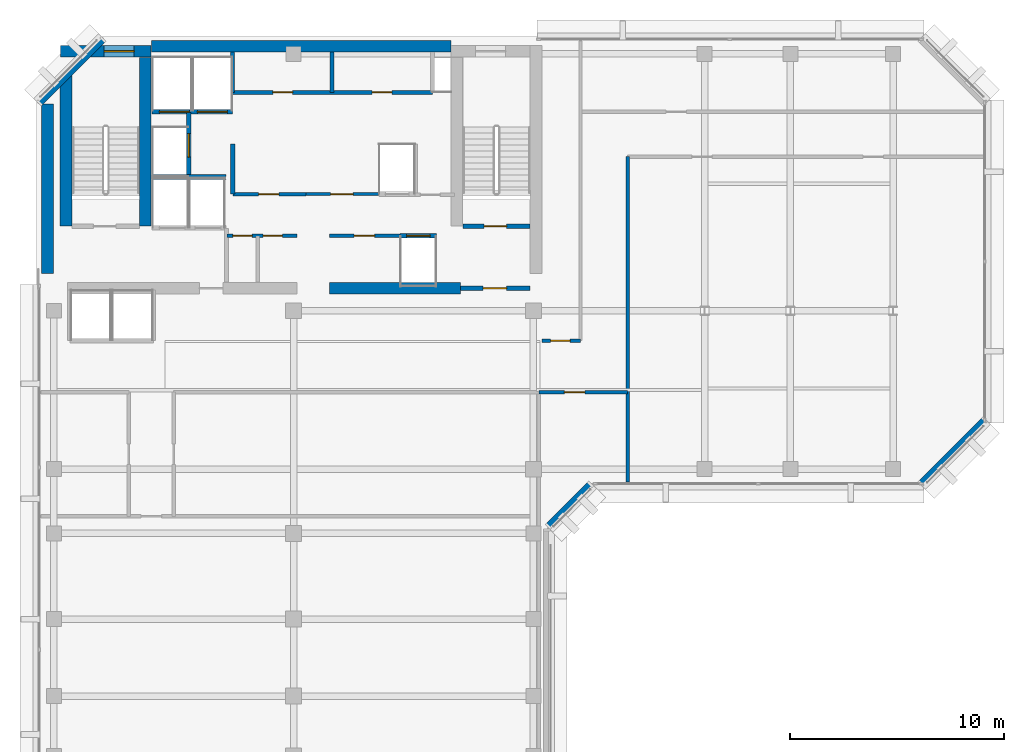
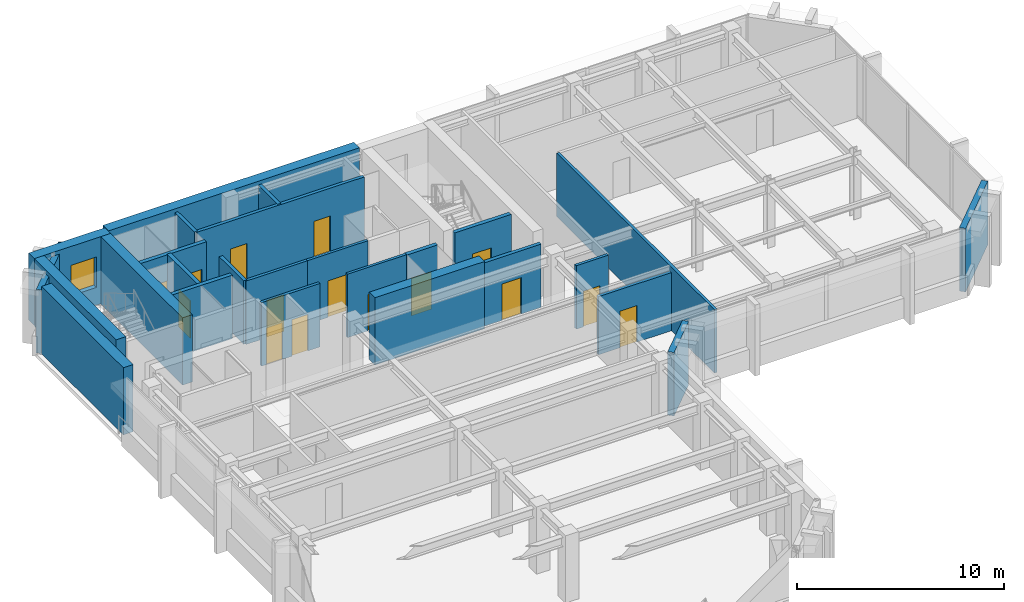
# One storey, part 7 of 12: 26 walls, 15 doors, 1 window, 16 openings.
"""IFC4 building model written with IfcOpenShell, lengths in metres."""

from ifc_helpers import new_model, si_unit, direction, frame, frame_2d, origin, place, context, subcontext, project, spatial, rectangle, extrude, material, layer, layer_set, type_object, element, fill, save


model = new_model("IFC4")

# Units and contexts
model_context = context("Model", 3, precision=1e-05, world=origin(), true_north=direction((0.0, 1.0)))
body_context = subcontext(model_context, "Body", "Model", "MODEL_VIEW")
ifc_project = project(units=[si_unit("LENGTHUNIT", "METRE"), si_unit("AREAUNIT", "SQUARE_METRE"), si_unit("VOLUMEUNIT", "CUBIC_METRE"), si_unit("PLANEANGLEUNIT", "RADIAN"), si_unit("MASSUNIT", "GRAM", prefix="KILO")], contexts=[model_context])

# Site, building, storey
site_placement = place(None, origin())
site = spatial("IfcSite", under=ifc_project, at=site_placement, CompositionType="ELEMENT")
building_placement = place(site_placement, origin())
building = spatial("IfcBuilding", under=site, at=building_placement, Name="Kefirva Bronze Tower", CompositionType="ELEMENT")
storey_placement = place(building_placement, frame((0.0, 0.0, 339.570068359375)))
storey = spatial("IfcBuildingStorey", under=building, at=storey_placement, Name="L83", CompositionType="ELEMENT", Elevation=339.570068359375)

# Wall, opening, door
ifc_material_1 = material(Name="Gypsum acoustic partition")
ifc_layer_1 = layer(ifc_material_1, 0.14990234375, Name="Gypsum acoustic partition")
ifc_layer_set_1 = layer_set([ifc_layer_1], Name="Gypsum acoustic partition")
wall_type_1 = type_object("IfcWallType", Name="Executive Suite Partition 150mm", PredefinedType="PARTITIONING", material=ifc_layer_set_1)
wall_1_placement = place(storey_placement, frame((13.679931640625, 36.699951171875, 0.0), z_axis=(0.0, 0.0, 1.0), x_axis=(1.0, 0.0, 0.0)))
wall_1 = element("IfcWall", 1, at=wall_1_placement, inside=storey, type_object=wall_type_1, Name="L83 Partition W-L83-RECMP1", PredefinedType="PARTITIONING", context=body_context, shape_type="SweptSolid", body=[
    extrude(rectangle(XDim=3.280029296875, YDim=0.14990234375, at=frame_2d((1.64013671875, 0.0))), origin(), (0.0, 0.0, 1.0), 3.739990234375),
])
opening_1_placement = place(wall_1_placement, frame((1.14990234375, 0.0, 0.0)))
opening_1 = element("IfcOpeningElement", 2, at=opening_1_placement, cuts=wall_1, Name="Opening L83-D-RECMP1", PredefinedType="OPENING", context=body_context, shape_type="SweptSolid", body=[
    extrude(rectangle(XDim=0.949951171875, YDim=2.14990234375, at=frame_2d((0.47509765625, 1.074951171875))), frame((0.0, 0.0849609375, 0.0), z_axis=(0.0, -1.0, 0.0), x_axis=(1.0, 0.0, 0.0)), (0.0, 0.0, 1.0), 0.169921875),
])
ifc_material_2 = material(Name="Acoustic hardwood oak", Category="wood")
door_type_1 = type_object("IfcDoorType", Name="Office & Meeting Room Door 950x2150", OperationType="NOTDEFINED", PredefinedType="DOOR", material=ifc_material_2)
door_1_placement = place(opening_1_placement, origin())
door_1 = element("IfcDoor", 3, at=door_1_placement, inside=storey, type_object=door_type_1, Name="Door L83-D-RECMP1", OperationType="SINGLE_SWING_LEFT", OverallHeight=2.14990234375, OverallWidth=0.949951171875, PredefinedType="DOOR", context=body_context, shape_type="SweptSolid", body=[
    extrude(rectangle(XDim=0.949951171875, YDim=2.14990234375, at=frame_2d((0.47509765625, 1.074951171875))), frame((0.0, 0.02490234375, 0.0), z_axis=(0.0, -1.0, 0.0), x_axis=(1.0, 0.0, 0.0)), (0.0, 0.0, 1.0), 0.050048828125),
])
fill(opening_1, door_1)

wall_2_placement = place(storey_placement, frame((12.580078125, 38.64990234375, 0.0), z_axis=(0.0, 0.0, 1.0), x_axis=(1.0, 0.0, 0.0)))
wall_2 = element("IfcWall", 4, at=wall_2_placement, inside=storey, type_object=wall_type_1, Name="L83 Partition W-L83-RECMP2", PredefinedType="PARTITIONING", context=body_context, shape_type="SweptSolid", body=[
    extrude(rectangle(XDim=3.3798828125, YDim=0.14990234375, at=frame_2d((1.68994140625, 0.0))), origin(), (0.0, 0.0, 1.0), 3.739990234375),
])
opening_2_placement = place(wall_2_placement, frame((2.199951171875, 0.0, 0.0), z_axis=(0.0, 0.0, 1.0), x_axis=(-1.0, 0.0, 0.0)))
opening_2 = element("IfcOpeningElement", 5, at=opening_2_placement, cuts=wall_2, Name="Opening L83-D-RECMP2", PredefinedType="OPENING", context=body_context, shape_type="SweptSolid", body=[
    extrude(rectangle(XDim=1.050048828125, YDim=2.14990234375, at=frame_2d((0.52490234375, 1.074951171875))), frame((0.0, 0.0849609375, 0.0), z_axis=(0.0, -1.0, 0.0), x_axis=(1.0, 0.0, 0.0)), (0.0, 0.0, 1.0), 0.169921875),
])
door_type_2 = type_object("IfcDoorType", Name="Executive & Boardroom Door 1050x2150", OperationType="NOTDEFINED", PredefinedType="DOOR", material=ifc_material_2)
door_2_placement = place(opening_2_placement, origin())
door_2 = element("IfcDoor", 6, at=door_2_placement, inside=storey, type_object=door_type_2, Name="Door L83-D-RECMP2", OperationType="SINGLE_SWING_RIGHT", OverallHeight=2.14990234375, OverallWidth=1.050048828125, PredefinedType="DOOR", context=body_context, shape_type="SweptSolid", body=[
    extrude(rectangle(XDim=1.050048828125, YDim=2.14990234375, at=frame_2d((0.52490234375, 1.074951171875))), frame((0.0, 0.02490234375, 0.0), z_axis=(0.0, -1.0, 0.0), x_axis=(1.0, 0.0, 0.0)), (0.0, 0.0, 1.0), 0.050048828125),
])
fill(opening_2, door_2)

ifc_material_3 = material(Name="Gypsum fireboard shaftwall")
ifc_layer_2 = layer(ifc_material_3, 0.219970703125, Name="Gypsum fireboard shaftwall")
ifc_layer_set_2 = layer_set([ifc_layer_2], Name="Gypsum fireboard shaftwall")
wall_type_2 = type_object("IfcWallType", Name="Fire-Rated Shaft Enclosure Wall 220mm", PredefinedType="PARTITIONING", material=ifc_layer_set_2)
wall_3_placement = place(storey_placement, frame((19.89990234375, 37.14990234375, 0.0), z_axis=(0.0, 0.0, 1.0), x_axis=(1.0, 0.0, 0.0)))
wall_3 = element("IfcWall", 7, at=wall_3_placement, inside=storey, type_object=wall_type_2, Name="L83 Partition W-L83-ST2S", PredefinedType="PARTITIONING", context=body_context, shape_type="SweptSolid", body=[
    extrude(rectangle(XDim=3.150146484375, YDim=0.219970703125, at=frame_2d((1.5751953125, 0.0))), origin(), (0.0, 0.0, 1.0), 3.739990234375),
])
opening_3_placement = place(wall_3_placement, frame((2.050048828125, 0.0, 0.0), z_axis=(0.0, 0.0, 1.0), x_axis=(-1.0, 0.0, 0.0)))
opening_3 = element("IfcOpeningElement", 8, at=opening_3_placement, cuts=wall_3, Name="Opening L83-D003", PredefinedType="OPENING", context=body_context, shape_type="SweptSolid", body=[
    extrude(rectangle(XDim=1.050048828125, YDim=2.14990234375, at=frame_2d((0.52490234375, 1.074951171875))), frame((0.0, 0.1201171875, 0.0), z_axis=(0.0, -1.0, 0.0), x_axis=(1.0, 0.0, 0.0)), (0.0, 0.0, 1.0), 0.239990234375),
])
ifc_material_4 = material(Name="Painted galvanized steel", Category="steel")
door_type_3 = type_object("IfcDoorType", Name="Fire Stair Enclosure Door 1050x2150 FD90S", OperationType="NOTDEFINED", PredefinedType="DOOR", material=ifc_material_4)
door_3_placement = place(opening_3_placement, origin())
door_3 = element("IfcDoor", 9, at=door_3_placement, inside=storey, type_object=door_type_3, Name="Door L83-D003", OperationType="SINGLE_SWING_LEFT", OverallHeight=2.14990234375, OverallWidth=1.050048828125, PredefinedType="DOOR", context=body_context, shape_type="SweptSolid", body=[
    extrude(rectangle(XDim=1.050048828125, YDim=2.14990234375, at=frame_2d((0.52490234375, 1.074951171875))), frame((0.0, 0.02490234375, 0.0), z_axis=(0.0, -1.0, 0.0), x_axis=(1.0, 0.0, 0.0)), (0.0, 0.0, 1.0), 0.050048828125),
])
fill(opening_3, door_3)

# Wall
wall_4_placement = place(storey_placement, frame((5.3798828125, 39.449951171875, 0.0), z_axis=(0.0, 0.0, 1.0), x_axis=(1.0, 0.0, 0.0)))
element("IfcWall", 10, at=wall_4_placement, inside=storey, type_object=wall_type_2, Name="L83 Partition W-L83-FFN", PredefinedType="PARTITIONING", context=body_context, shape_type="SweptSolid", body=[
    extrude(rectangle(XDim=3.460205078125, YDim=0.219970703125, at=frame_2d((1.72998046875, 0.0))), origin(), (0.0, 0.0, 1.0), 3.739990234375),
])

# Wall, openings, doors
wall_5_placement = place(storey_placement, frame((5.3798828125, 42.5, 0.0), z_axis=(0.0, 0.0, 1.0), x_axis=(1.0, 0.0, 0.0)))
wall_5 = element("IfcWall", 11, at=wall_5_placement, inside=storey, type_object=wall_type_2, Name="L83 Partition W-L83-SVS", PredefinedType="PARTITIONING", context=body_context, shape_type="SweptSolid", body=[
    extrude(rectangle(XDim=3.77001953125, YDim=0.219970703125, at=frame_2d((1.885009765625, 0.0))), origin(), (0.0, 0.0, 1.0), 3.739990234375),
])
opening_4_placement = place(wall_5_placement, frame((1.75, 0.0, 0.0), z_axis=(0.0, 0.0, 1.0), x_axis=(-1.0, 0.0, 0.0)))
opening_4 = element("IfcOpeningElement", 12, at=opening_4_placement, cuts=wall_5, Name="Opening L83-LD-SV1", PredefinedType="OPENING", context=body_context, shape_type="SweptSolid", body=[
    extrude(rectangle(XDim=1.39990234375, YDim=2.199951171875, at=frame_2d((0.699951171875, 1.10009765625))), frame((0.0, 0.1201171875, 0.0), z_axis=(0.0, -1.0, 0.0), x_axis=(1.0, 0.0, 0.0)), (0.0, 0.0, 1.0), 0.239990234375),
])
opening_5_placement = place(wall_5_placement, frame((3.52978515625, 0.0, 0.0), z_axis=(0.0, 0.0, 1.0), x_axis=(-1.0, 0.0, 0.0)))
opening_5 = element("IfcOpeningElement", 13, at=opening_5_placement, cuts=wall_5, Name="Opening L83-LD-SV2", PredefinedType="OPENING", context=body_context, shape_type="SweptSolid", body=[
    extrude(rectangle(XDim=1.39990234375, YDim=2.199951171875, at=frame_2d((0.699951171875, 1.10009765625))), frame((0.0, 0.1201171875, 0.0), z_axis=(0.0, -1.0, 0.0), x_axis=(1.0, 0.0, 0.0)), (0.0, 0.0, 1.0), 0.239990234375),
])
ifc_material_5 = material(Name="Stainless steel 316", Category="steel")
door_type_4 = type_object("IfcDoorType", Name="Goods Lift Bi-Parting Sliding Door 1400x2200", OperationType="SLIDING_TO_LEFT", PredefinedType="DOOR", material=ifc_material_5)
door_4_placement = place(opening_4_placement, origin())
door_4 = element("IfcDoor", 14, at=door_4_placement, inside=storey, type_object=door_type_4, Name="Door L83-LD-SV1", OperationType="SLIDING_TO_LEFT", OverallHeight=2.199951171875, OverallWidth=1.39990234375, PredefinedType="DOOR", context=body_context, shape_type="SweptSolid", body=[
    extrude(rectangle(XDim=1.39990234375, YDim=2.199951171875, at=frame_2d((0.699951171875, 1.10009765625))), frame((0.0, 0.02490234375, 0.0), z_axis=(0.0, -1.0, 0.0), x_axis=(1.0, 0.0, 0.0)), (0.0, 0.0, 1.0), 0.050048828125),
])
fill(opening_4, door_4)
door_5_placement = place(opening_5_placement, origin())
door_5 = element("IfcDoor", 15, at=door_5_placement, inside=storey, type_object=door_type_4, Name="Door L83-LD-SV2", OperationType="SLIDING_TO_LEFT", OverallHeight=2.199951171875, OverallWidth=1.39990234375, PredefinedType="DOOR", context=body_context, shape_type="SweptSolid", body=[
    extrude(rectangle(XDim=1.39990234375, YDim=2.199951171875, at=frame_2d((0.699951171875, 1.10009765625))), frame((0.0, 0.02490234375, 0.0), z_axis=(0.0, -1.0, 0.0), x_axis=(1.0, 0.0, 0.0)), (0.0, 0.0, 1.0), 0.050048828125),
])
fill(opening_5, door_5)

# Wall, opening, door
wall_6_placement = place(storey_placement, frame((7.10009765625, 39.52001953125, 0.0), z_axis=(0.0, 0.0, 1.0), x_axis=(0.0, 1.0, 0.0)))
wall_6 = element("IfcWall", 16, at=wall_6_placement, inside=storey, type_object=wall_type_2, Name="L83 Partition W-L83-HP3E", PredefinedType="PARTITIONING", context=body_context, shape_type="SweptSolid", body=[
    extrude(rectangle(XDim=2.929931640625, YDim=0.219970703125, at=frame_2d((1.46484375, 0.0))), origin(), (0.0, 0.0, 1.0), 3.739990234375),
])
opening_6_placement = place(wall_6_placement, frame((0.85009765625, 0.0, 0.0)))
opening_6 = element("IfcOpeningElement", 17, at=opening_6_placement, cuts=wall_6, Name="Opening L83-LD-HP3", PredefinedType="OPENING", context=body_context, shape_type="SweptSolid", body=[
    extrude(rectangle(XDim=1.10009765625, YDim=2.199951171875, at=frame_2d((0.550048828125, 1.10009765625))), frame((0.0, 0.1201171875, 0.0), z_axis=(0.0, -1.0, 0.0), x_axis=(1.0, 0.0, 0.0)), (0.0, 0.0, 1.0), 0.239990234375),
])
door_type_5 = type_object("IfcDoorType", Name="Passenger Lift Sliding Landing Door 1100x2200", OperationType="SLIDING_TO_LEFT", PredefinedType="DOOR", material=ifc_material_5)
door_6_placement = place(opening_6_placement, origin())
door_6 = element("IfcDoor", 18, at=door_6_placement, inside=storey, type_object=door_type_5, Name="Door L83-LD-HP3", OperationType="SLIDING_TO_LEFT", OverallHeight=2.199951171875, OverallWidth=1.10009765625, PredefinedType="DOOR", context=body_context, shape_type="SweptSolid", body=[
    extrude(rectangle(XDim=1.10009765625, YDim=2.199951171875, at=frame_2d((0.550048828125, 1.10009765625))), frame((0.0, 0.02490234375, 0.0), z_axis=(0.0, -1.0, 0.0), x_axis=(1.0, 0.0, 0.0)), (0.0, 0.0, 1.0), 0.050048828125),
])
fill(opening_6, door_6)

# Wall
wall_7_placement = place(storey_placement, frame((9.159912109375, 38.64990234375, 0.0), z_axis=(0.0, 0.0, 1.0), x_axis=(0.0, 1.0, 0.0)))
element("IfcWall", 19, at=wall_7_placement, inside=storey, type_object=wall_type_2, Name="L83 Partition W-L83-LP3W", PredefinedType="PARTITIONING", context=body_context, shape_type="SweptSolid", body=[
    extrude(rectangle(XDim=2.35009765625, YDim=0.199951171875, at=frame_2d((1.175048828125, 0.0))), origin(), (0.0, 0.0, 1.0), 3.739990234375),
])

# Wall, opening, door
wall_8_placement = place(storey_placement, frame((16.97998046875, 36.699951171875, 0.0), z_axis=(0.0, 0.0, 1.0), x_axis=(1.0, 0.0, 0.0)))
wall_8 = element("IfcWall", 20, at=wall_8_placement, inside=storey, type_object=wall_type_2, Name="L83 Partition W-L83-HPS", PredefinedType="PARTITIONING", context=body_context, shape_type="SweptSolid", body=[
    extrude(rectangle(XDim=1.699951171875, YDim=0.219970703125, at=frame_2d((0.85009765625, 0.0))), origin(), (0.0, 0.0, 1.0), 3.739990234375),
])
opening_7_placement = place(wall_8_placement, frame((0.300048828125, 0.0, 0.0)))
opening_7 = element("IfcOpeningElement", 21, at=opening_7_placement, cuts=wall_8, Name="Opening L83-LD-HP1", PredefinedType="OPENING", context=body_context, shape_type="SweptSolid", body=[
    extrude(rectangle(XDim=1.10009765625, YDim=2.199951171875, at=frame_2d((0.550048828125, 1.10009765625))), frame((0.0, 0.1201171875, 0.0), z_axis=(0.0, -1.0, 0.0), x_axis=(1.0, 0.0, 0.0)), (0.0, 0.0, 1.0), 0.239990234375),
])
door_7_placement = place(opening_7_placement, origin())
door_7 = element("IfcDoor", 22, at=door_7_placement, inside=storey, type_object=door_type_5, Name="Door L83-LD-HP1", OperationType="SLIDING_TO_LEFT", OverallHeight=2.199951171875, OverallWidth=1.10009765625, PredefinedType="DOOR", context=body_context, shape_type="SweptSolid", body=[
    extrude(rectangle(XDim=1.10009765625, YDim=2.199951171875, at=frame_2d((0.550048828125, 1.10009765625))), frame((0.0, 0.02490234375, 0.0), z_axis=(0.0, -1.0, 0.0), x_axis=(1.0, 0.0, 0.0)), (0.0, 0.0, 1.0), 0.050048828125),
])
fill(opening_7, door_7)

ifc_material_6 = material(Name="Gypsum fireboard barrier")
ifc_layer_3 = layer(ifc_material_6, 0.199951171875, Name="Gypsum fireboard barrier")
ifc_layer_set_3 = layer_set([ifc_layer_3], Name="Gypsum fireboard barrier")
wall_type_3 = type_object("IfcWallType", Name="Firefighting Lobby Barrier Wall 200mm", PredefinedType="PARTITIONING", material=ifc_layer_set_3)
wall_9_placement = place(storey_placement, frame((19.800048828125, 34.25, 0.0), z_axis=(0.0, 0.0, 1.0), x_axis=(1.0, 0.0, 0.0)))
wall_9 = element("IfcWall", 23, at=wall_9_placement, inside=storey, type_object=wall_type_3, Name="L83 Partition W-L83-ST2F", PredefinedType="PARTITIONING", context=body_context, shape_type="SweptSolid", body=[
    extrude(rectangle(XDim=3.25, YDim=0.199951171875, at=frame_2d((1.625, 0.0))), origin(), (0.0, 0.0, 1.0), 3.739990234375),
])
opening_8_placement = place(wall_9_placement, frame((2.150146484375, 0.0, 0.0), z_axis=(0.0, 0.0, 1.0), x_axis=(-1.0, 0.0, 0.0)))
opening_8 = element("IfcOpeningElement", 24, at=opening_8_placement, cuts=wall_9, Name="Opening L83-D004", PredefinedType="OPENING", context=body_context, shape_type="SweptSolid", body=[
    extrude(rectangle(XDim=1.10009765625, YDim=2.14990234375, at=frame_2d((0.550048828125, 1.074951171875))), frame((0.0, 0.10986328125, 0.0), z_axis=(0.0, -1.0, 0.0), x_axis=(1.0, 0.0, 0.0)), (0.0, 0.0, 1.0), 0.219970703125),
])
door_type_6 = type_object("IfcDoorType", Name="Firefighting Lobby Smoke Door 1100x2150 FD60S", OperationType="NOTDEFINED", PredefinedType="DOOR", material=ifc_material_4)
door_8_placement = place(opening_8_placement, origin())
door_8 = element("IfcDoor", 25, at=door_8_placement, inside=storey, type_object=door_type_6, Name="Door L83-D004", OperationType="SINGLE_SWING_RIGHT", OverallHeight=2.14990234375, OverallWidth=1.10009765625, PredefinedType="DOOR", context=body_context, shape_type="SweptSolid", body=[
    extrude(rectangle(XDim=1.10009765625, YDim=2.14990234375, at=frame_2d((0.550048828125, 1.074951171875))), frame((0.0, 0.02490234375, 0.0), z_axis=(0.0, -1.0, 0.0), x_axis=(1.0, 0.0, 0.0)), (0.0, 0.0, 1.0), 0.050048828125),
])
fill(opening_8, door_8)

# Walls
ifc_material_7 = material(Name="Precast concrete C40/50", Category="concrete")
ifc_layer_4 = layer(ifc_material_7, 0.320068359375, Name="Precast concrete C40/50")
ifc_layer_set_4 = layer_set([ifc_layer_4], Name="Precast concrete C40/50")
wall_type_4 = type_object("IfcWallType", Name="Precast Insulated Exterior Wall 320mm", PredefinedType="SOLIDWALL", material=ifc_layer_set_4)
wall_10_placement = place(storey_placement, frame((23.92578125, 23.152099609375, 0.0), z_axis=(0.0, 0.0, 1.0), x_axis=(0.707106781187, 0.707106781187, 0.0)))
element("IfcWall", 26, at=wall_10_placement, inside=storey, type_object=wall_type_4, Name="L83 Exterior Facade Wall 6", PredefinedType="SOLIDWALL", context=body_context, shape_type="SweptSolid", body=[
    extrude(rectangle(XDim=2.71826171875, YDim=0.320068359375, at=frame_2d((1.359130859375, 0.0))), origin(), (0.0, 0.0, 1.0), 3.739990234375),
])
for number, where, z_axis, x_axis, name in (
    (27, (41.32568359375, 25.152099609375, 0.0), (0.0, 0.0, 1.0), (0.707136318428, 0.707077242712, 0.0), "L83 Exterior Facade Wall 7"),
    (28, (3.07421875, 45.847900390625, 0.0), (0.0, 0.0, 1.0), (-0.707106781187, -0.707106781187, 0.0), "L83 Exterior Facade Wall 9"),
):
    element("IfcWall", number, at=place(storey_placement, frame(where, z_axis=z_axis, x_axis=x_axis)), inside=storey, type_object=wall_type_4, Name=name, PredefinedType="SOLIDWALL", context=body_context, shape_type="SweptSolid", body=[
        extrude(rectangle(XDim=4.132568359375, YDim=0.320068359375, at=frame_2d((2.06640625, 0.0))), origin(), (0.0, 0.0, 1.0), 3.739990234375),
    ])

# Wall, openings, doors
ifc_layer_5 = layer(ifc_material_1, 0.159912109375, Name="Gypsum acoustic partition")
ifc_layer_set_5 = layer_set([ifc_layer_5], Name="Gypsum acoustic partition")
wall_type_5 = type_object("IfcWallType", Name="Protected Corridor Partition 160mm", PredefinedType="PARTITIONING", material=ifc_layer_set_5)
wall_11_placement = place(storey_placement, frame((8.89990234375, 36.699951171875, 0.0), z_axis=(0.0, 0.0, 1.0), x_axis=(1.0, 0.0, 0.0)))
wall_11 = element("IfcWall", 29, at=wall_11_placement, inside=storey, type_object=wall_type_5, Name="L83 Partition W-L83-RECLP1", PredefinedType="PARTITIONING", context=body_context, shape_type="SweptSolid", body=[
    extrude(rectangle(XDim=3.25, YDim=0.159912109375, at=frame_2d((1.625, 0.0))), origin(), (0.0, 0.0, 1.0), 3.739990234375),
])
opening_9_placement = place(wall_11_placement, frame((0.260009765625, 0.0, 0.0)))
opening_9 = element("IfcOpeningElement", 30, at=opening_9_placement, cuts=wall_11, Name="Opening L83-D-RECLP1A", PredefinedType="OPENING", context=body_context, shape_type="SweptSolid", body=[
    extrude(rectangle(XDim=0.89990234375, YDim=2.14990234375, at=frame_2d((0.449951171875, 1.074951171875))), frame((0.0, 0.08984375, 0.0), z_axis=(0.0, -1.0, 0.0), x_axis=(1.0, 0.0, 0.0)), (0.0, 0.0, 1.0), 0.179931640625),
])
opening_10_placement = place(wall_11_placement, frame((1.679931640625, 0.0, 0.0)))
opening_10 = element("IfcOpeningElement", 31, at=opening_10_placement, cuts=wall_11, Name="Opening L83-D-RECLP1B", PredefinedType="OPENING", context=body_context, shape_type="SweptSolid", body=[
    extrude(rectangle(XDim=0.89990234375, YDim=2.14990234375, at=frame_2d((0.449951171875, 1.074951171875))), frame((0.0, 0.08984375, 0.0), z_axis=(0.0, -1.0, 0.0), x_axis=(1.0, 0.0, 0.0)), (0.0, 0.0, 1.0), 0.179931640625),
])
door_type_7 = type_object("IfcDoorType", Name="Core Archive & Server Fire Door 900x2150 FD60S", OperationType="NOTDEFINED", PredefinedType="DOOR", material=ifc_material_4)
door_9_placement = place(opening_9_placement, origin())
door_9 = element("IfcDoor", 32, at=door_9_placement, inside=storey, type_object=door_type_7, Name="Door L83-D-RECLP1A", OperationType="SINGLE_SWING_RIGHT", OverallHeight=2.14990234375, OverallWidth=0.89990234375, PredefinedType="DOOR", context=body_context, shape_type="SweptSolid", body=[
    extrude(rectangle(XDim=0.89990234375, YDim=2.14990234375, at=frame_2d((0.449951171875, 1.074951171875))), frame((0.0, 0.02490234375, 0.0), z_axis=(0.0, -1.0, 0.0), x_axis=(1.0, 0.0, 0.0)), (0.0, 0.0, 1.0), 0.050048828125),
])
fill(opening_9, door_9)
door_10_placement = place(opening_10_placement, origin())
door_10 = element("IfcDoor", 33, at=door_10_placement, inside=storey, type_object=door_type_7, Name="Door L83-D-RECLP1B", OperationType="SINGLE_SWING_LEFT", OverallHeight=2.14990234375, OverallWidth=0.89990234375, PredefinedType="DOOR", context=body_context, shape_type="SweptSolid", body=[
    extrude(rectangle(XDim=0.89990234375, YDim=2.14990234375, at=frame_2d((0.449951171875, 1.074951171875))), frame((0.0, 0.02490234375, 0.0), z_axis=(0.0, -1.0, 0.0), x_axis=(1.0, 0.0, 0.0)), (0.0, 0.0, 1.0), 0.050048828125),
])
fill(opening_10, door_10)

# Wall, opening, door
wall_12_placement = place(storey_placement, frame((9.159912109375, 38.64990234375, 0.0), z_axis=(0.0, 0.0, 1.0), x_axis=(1.0, 0.0, 0.0)))
wall_12 = element("IfcWall", 34, at=wall_12_placement, inside=storey, type_object=wall_type_5, Name="L83 Partition W-L83-RECLP2", PredefinedType="PARTITIONING", context=body_context, shape_type="SweptSolid", body=[
    extrude(rectangle(XDim=3.420166015625, YDim=0.159912109375, at=frame_2d((1.7099609375, 0.0))), origin(), (0.0, 0.0, 1.0), 3.739990234375),
])
opening_11_placement = place(wall_12_placement, frame((2.14990234375, 0.0, 0.0), z_axis=(0.0, 0.0, 1.0), x_axis=(-1.0, 0.0, 0.0)))
opening_11 = element("IfcOpeningElement", 35, at=opening_11_placement, cuts=wall_12, Name="Opening L83-D-RECLP2", PredefinedType="OPENING", context=body_context, shape_type="SweptSolid", body=[
    extrude(rectangle(XDim=0.949951171875, YDim=2.14990234375, at=frame_2d((0.47509765625, 1.074951171875))), frame((0.0, 0.08984375, 0.0), z_axis=(0.0, -1.0, 0.0), x_axis=(1.0, 0.0, 0.0)), (0.0, 0.0, 1.0), 0.179931640625),
])
door_11_placement = place(opening_11_placement, origin())
door_11 = element("IfcDoor", 36, at=door_11_placement, inside=storey, type_object=door_type_1, Name="Door L83-D-RECLP2", OperationType="SINGLE_SWING_RIGHT", OverallHeight=2.14990234375, OverallWidth=0.949951171875, PredefinedType="DOOR", context=body_context, shape_type="SweptSolid", body=[
    extrude(rectangle(XDim=0.949951171875, YDim=2.14990234375, at=frame_2d((0.47509765625, 1.074951171875))), frame((0.0, 0.02490234375, 0.0), z_axis=(0.0, -1.0, 0.0), x_axis=(1.0, 0.0, 0.0)), (0.0, 0.0, 1.0), 0.050048828125),
])
fill(opening_11, door_11)

# Wall
wall_13_placement = place(storey_placement, frame((27.60009765625, 25.18994140625, 0.0), z_axis=(0.0, 0.0, 1.0), x_axis=(0.0, 1.0, 0.0)))
element("IfcWall", 37, at=wall_13_placement, inside=storey, type_object=wall_type_5, Name="L83 Partition W-L83-E31E", PredefinedType="PARTITIONING", context=body_context, shape_type="SweptSolid", body=[
    extrude(rectangle(XDim=15.2099609375, YDim=0.159912109375, at=frame_2d((7.60498046875, 0.0))), origin(), (0.0, 0.0, 1.0), 3.739990234375),
])

# Wall, opening, door
wall_14_placement = place(storey_placement, frame((23.449951171875, 29.39990234375, 0.0), z_axis=(0.0, 0.0, 1.0), x_axis=(1.0, 0.0, 0.0)))
wall_14 = element("IfcWall", 38, at=wall_14_placement, inside=storey, type_object=wall_type_5, Name="L83 Partition W-L83-E31S0", PredefinedType="PARTITIONING", context=body_context, shape_type="SweptSolid", body=[
    extrude(rectangle(XDim=4.150146484375, YDim=0.159912109375, at=frame_2d((2.0751953125, 0.0))), origin(), (0.0, 0.0, 1.0), 3.425048828125),
])
opening_12_placement = place(wall_14_placement, frame((2.14990234375, 0.0, 0.0), z_axis=(0.0, 0.0, 1.0), x_axis=(-1.0, 0.0, 0.0)))
opening_12 = element("IfcOpeningElement", 39, at=opening_12_placement, cuts=wall_14, Name="Opening L83-D-E31SW", PredefinedType="OPENING", context=body_context, shape_type="SweptSolid", body=[
    extrude(rectangle(XDim=0.949951171875, YDim=2.14990234375, at=frame_2d((0.47509765625, 1.074951171875))), frame((0.0, 0.08984375, 0.0), z_axis=(0.0, -1.0, 0.0), x_axis=(1.0, 0.0, 0.0)), (0.0, 0.0, 1.0), 0.179931640625),
])
door_12_placement = place(opening_12_placement, origin())
door_12 = element("IfcDoor", 40, at=door_12_placement, inside=storey, type_object=door_type_1, Name="Door L83-D-E31SW", OperationType="SINGLE_SWING_LEFT", OverallHeight=2.14990234375, OverallWidth=0.949951171875, PredefinedType="DOOR", context=body_context, shape_type="SweptSolid", body=[
    extrude(rectangle(XDim=0.949951171875, YDim=2.14990234375, at=frame_2d((0.47509765625, 1.074951171875))), frame((0.0, 0.02490234375, 0.0), z_axis=(0.0, -1.0, 0.0), x_axis=(1.0, 0.0, 0.0)), (0.0, 0.0, 1.0), 0.050048828125),
])
fill(opening_12, door_12)

wall_15_placement = place(storey_placement, frame((23.60009765625, 31.800048828125, 0.0), z_axis=(0.0, 0.0, 1.0), x_axis=(1.0, 0.0, 0.0)))
wall_15 = element("IfcWall", 41, at=wall_15_placement, inside=storey, type_object=wall_type_5, Name="L83 Partition W-L83-E31PK", PredefinedType="PARTITIONING", context=body_context, shape_type="SweptSolid", body=[
    extrude(rectangle(XDim=1.7998046875, YDim=0.159912109375, at=frame_2d((0.89990234375, 0.0))), origin(), (0.0, 0.0, 1.0), 3.739990234375),
])
opening_13_placement = place(wall_15_placement, frame((0.39990234375, 0.0, 0.0)))
opening_13 = element("IfcOpeningElement", 42, at=opening_13_placement, cuts=wall_15, Name="Opening L83-D-E31PK", PredefinedType="OPENING", context=body_context, shape_type="SweptSolid", body=[
    extrude(rectangle(XDim=0.919921875, YDim=2.10009765625, at=frame_2d((0.4599609375, 1.050048828125))), frame((0.0, 0.08984375, 0.0), z_axis=(0.0, -1.0, 0.0), x_axis=(1.0, 0.0, 0.0)), (0.0, 0.0, 1.0), 0.179931640625),
])
ifc_material_8 = material(Name="Moisture-resistant timber", Category="wood")
door_type_8 = type_object("IfcDoorType", Name="Accessible Sanitary & WC Door 920x2100", OperationType="NOTDEFINED", PredefinedType="DOOR", material=ifc_material_8)
door_13_placement = place(opening_13_placement, origin())
door_13 = element("IfcDoor", 43, at=door_13_placement, inside=storey, type_object=door_type_8, Name="Door L83-D-E31PK", OperationType="SINGLE_SWING_RIGHT", OverallHeight=2.10009765625, OverallWidth=0.919921875, PredefinedType="DOOR", context=body_context, shape_type="SweptSolid", body=[
    extrude(rectangle(XDim=0.919921875, YDim=2.10009765625, at=frame_2d((0.4599609375, 1.050048828125))), frame((0.0, 0.02490234375, 0.0), z_axis=(0.0, -1.0, 0.0), x_axis=(1.0, 0.0, 0.0)), (0.0, 0.0, 1.0), 0.050048828125),
])
fill(opening_13, door_13)

# Walls
ifc_material_9 = material(Name="Concrete C50/60", Category="concrete")
ifc_layer_6 = layer(ifc_material_9, 0.550048828125, Name="Concrete C50/60")
ifc_layer_set_6 = layer_set([ifc_layer_6], Name="Concrete C50/60")
wall_type_6 = type_object("IfcWallType", Name="RC Rear Core Exterior Wall 550mm", PredefinedType="SHEAR", material=ifc_layer_set_6)
wall_16_placement = place(storey_placement, frame((5.360107421875, 45.550048828125, 0.0), z_axis=(0.0, 0.0, 1.0), x_axis=(1.0, 0.0, 0.0)))
element("IfcWall", 44, at=wall_16_placement, inside=storey, type_object=wall_type_6, Name="L83 Rear Core North Shear Wall", PredefinedType="SHEAR", context=body_context, shape_type="SweptSolid", body=[
    extrude(rectangle(XDim=13.97998046875, YDim=0.550048828125, at=frame_2d((6.989990234375, 0.0))), origin(), (0.0, 0.0, 1.0), 3.9599609375),
])
wall_17_placement = place(storey_placement, frame((0.5, 34.949951171875, 0.0), z_axis=(0.0, 0.0, 1.0), x_axis=(0.0, 1.0, 0.0)))
element("IfcWall", 45, at=wall_17_placement, inside=storey, type_object=wall_type_6, Name="L83 Rear Core West Shear Wall", PredefinedType="SHEAR", context=body_context, shape_type="SweptSolid", body=[
    extrude(rectangle(XDim=7.900146484375, YDim=0.550048828125, at=frame_2d((3.9501953125, 0.0))), origin(), (0.0, 0.0, 1.0), 3.9599609375),
])

# Wall, opening, window
wall_18_placement = place(storey_placement, frame((1.10009765625, 45.320068359375, 0.0), z_axis=(0.0, 0.0, 1.0), x_axis=(1.0, 0.0, 0.0)))
wall_18 = element("IfcWall", 46, at=wall_18_placement, inside=storey, type_object=wall_type_6, Name="L83 Stair 1 North Shear Wall", PredefinedType="SHEAR", context=body_context, shape_type="SweptSolid", body=[
    extrude(rectangle(XDim=4.239990234375, YDim=0.550048828125, at=frame_2d((2.1201171875, 0.0))), origin(), (0.0, 0.0, 1.0), 3.9599609375),
])
opening_14_placement = place(wall_18_placement, frame((2.050048828125, 0.0, 1.050048828125)))
opening_14 = element("IfcOpeningElement", 47, at=opening_14_placement, cuts=wall_18, Name="Opening WN-03", PredefinedType="OPENING", context=body_context, shape_type="SweptSolid", body=[
    extrude(rectangle(XDim=1.39990234375, YDim=1.800048828125, at=frame_2d((0.699951171875, 0.89990234375))), frame((0.0, 0.28515625, 0.0), z_axis=(0.0, -1.0, 0.0), x_axis=(1.0, 0.0, 0.0)), (0.0, 0.0, 1.0), 0.570068359375),
])
ifc_material_10 = material(Name="Laminated low-E double glazing", Category="glass")
window_type = type_object("IfcWindowType", Name="Rear-Core Stair Daylight Window 1400x1800", PartitioningType="SINGLE_PANEL", PredefinedType="WINDOW", material=ifc_material_10)
window_placement = place(opening_14_placement, origin())
window = element("IfcWindow", 48, at=window_placement, inside=storey, type_object=window_type, Name="L83 Stair 1 Daylight Window", OverallHeight=1.800048828125, OverallWidth=1.39990234375, PartitioningType="SINGLE_PANEL", PredefinedType="WINDOW", context=body_context, shape_type="SweptSolid", body=[
    extrude(rectangle(XDim=1.39990234375, YDim=1.800048828125, at=frame_2d((0.699951171875, 0.89990234375))), frame((0.0, 0.030029296875, 0.0), z_axis=(0.0, -1.0, 0.0), x_axis=(1.0, 0.0, 0.0)), (0.0, 0.0, 1.0), 0.06005859375),
])
fill(opening_14, window)

# Walls
ifc_layer_7 = layer(ifc_material_9, 0.550048828125, Name="Concrete C50/60")
ifc_layer_set_7 = layer_set([ifc_layer_7], Name="Concrete C50/60")
wall_type_7 = type_object("IfcWallType", Name="RC Rear Core Interior Wall 550mm", PredefinedType="SHEAR", material=ifc_layer_set_7)
wall_19_placement = place(storey_placement, frame((13.679931640625, 34.25, 0.0), z_axis=(0.0, 0.0, 1.0), x_axis=(1.0, 0.0, 0.0)))
element("IfcWall", 49, at=wall_19_placement, inside=storey, type_object=wall_type_7, Name="L83 Rear Core South-East Shear Wall", PredefinedType="SHEAR", context=body_context, shape_type="SweptSolid", body=[
    extrude(rectangle(XDim=6.1201171875, YDim=0.550048828125, at=frame_2d((3.06005859375, 0.0))), origin(), (0.0, 0.0, 1.0), 3.9599609375),
])
for number, where, z_axis, x_axis, name in (
    (50, (1.3701171875, 37.14990234375, 0.0), (0.0, 0.0, 1.0), (0.0, 1.0, 0.0), "L83 Stair 1 West Shear Wall"),
    (51, (5.070068359375, 37.14990234375, 0.0), (0.0, 0.0, 1.0), (0.0, 1.0, 0.0), "L83 Stair 1 East Shear Wall"),
):
    element("IfcWall", number, at=place(storey_placement, frame(where, z_axis=z_axis, x_axis=x_axis)), inside=storey, type_object=wall_type_7, Name=name, PredefinedType="SHEAR", context=body_context, shape_type="SweptSolid", body=[
        extrude(rectangle(XDim=7.89013671875, YDim=0.550048828125, at=frame_2d((3.945068359375, 0.0))), origin(), (0.0, 0.0, 1.0), 3.9599609375),
    ])

# Wall, openings, doors
ifc_material_11 = material(Name="Moisture-resistant partition")
ifc_layer_8 = layer(ifc_material_11, 0.179931640625, Name="Moisture-resistant partition")
ifc_layer_set_8 = layer_set([ifc_layer_8], Name="Moisture-resistant partition")
wall_type_8 = type_object("IfcWallType", Name="Sanitary Plumbing Chase Wall 180mm", PredefinedType="PLUMBINGWALL", material=ifc_layer_set_8)
wall_20_placement = place(storey_placement, frame((9.14990234375, 43.39990234375, 0.0), z_axis=(0.0, 0.0, 1.0), x_axis=(1.0, 0.0, 0.0)))
wall_20 = element("IfcWall", 52, at=wall_20_placement, inside=storey, type_object=wall_type_8, Name="L83 Partition W-L83-SVCS", PredefinedType="PLUMBINGWALL", context=body_context, shape_type="SweptSolid", body=[
    extrude(rectangle(XDim=9.330078125, YDim=0.179931640625, at=frame_2d((4.6650390625, 0.0))), origin(), (0.0, 0.0, 1.0), 3.739990234375),
])
opening_15_placement = place(wall_20_placement, frame((1.8798828125, 0.0, 0.0)))
opening_15 = element("IfcOpeningElement", 53, at=opening_15_placement, cuts=wall_20, Name="Opening L83-D-CSVC1", PredefinedType="OPENING", context=body_context, shape_type="SweptSolid", body=[
    extrude(rectangle(XDim=0.919921875, YDim=2.10009765625, at=frame_2d((0.4599609375, 1.050048828125))), frame((0.0, 0.10009765625, 0.0), z_axis=(0.0, -1.0, 0.0), x_axis=(1.0, 0.0, 0.0)), (0.0, 0.0, 1.0), 0.199951171875),
])
opening_16_placement = place(wall_20_placement, frame((6.514892578125, 0.0, 0.0)))
opening_16 = element("IfcOpeningElement", 54, at=opening_16_placement, cuts=wall_20, Name="Opening L83-D-CSVC2", PredefinedType="OPENING", context=body_context, shape_type="SweptSolid", body=[
    extrude(rectangle(XDim=0.919921875, YDim=2.10009765625, at=frame_2d((0.4599609375, 1.050048828125))), frame((0.0, 0.10009765625, 0.0), z_axis=(0.0, -1.0, 0.0), x_axis=(1.0, 0.0, 0.0)), (0.0, 0.0, 1.0), 0.199951171875),
])
door_14_placement = place(opening_15_placement, origin())
door_14 = element("IfcDoor", 55, at=door_14_placement, inside=storey, type_object=door_type_8, Name="Door L83-D-CSVC1", OperationType="SINGLE_SWING_LEFT", OverallHeight=2.10009765625, OverallWidth=0.919921875, PredefinedType="DOOR", context=body_context, shape_type="SweptSolid", body=[
    extrude(rectangle(XDim=0.919921875, YDim=2.10009765625, at=frame_2d((0.4599609375, 1.050048828125))), frame((0.0, 0.02490234375, 0.0), z_axis=(0.0, -1.0, 0.0), x_axis=(1.0, 0.0, 0.0)), (0.0, 0.0, 1.0), 0.050048828125),
])
fill(opening_15, door_14)
door_15_placement = place(opening_16_placement, origin())
door_15 = element("IfcDoor", 56, at=door_15_placement, inside=storey, type_object=door_type_8, Name="Door L83-D-CSVC2", OperationType="SINGLE_SWING_RIGHT", OverallHeight=2.10009765625, OverallWidth=0.919921875, PredefinedType="DOOR", context=body_context, shape_type="SweptSolid", body=[
    extrude(rectangle(XDim=0.919921875, YDim=2.10009765625, at=frame_2d((0.4599609375, 1.050048828125))), frame((0.0, 0.02490234375, 0.0), z_axis=(0.0, -1.0, 0.0), x_axis=(1.0, 0.0, 0.0)), (0.0, 0.0, 1.0), 0.050048828125),
])
fill(opening_16, door_15)

# Walls
for number, where, z_axis, x_axis, name in (
    (57, (9.14990234375, 43.39990234375, 0.0), (0.0, 0.0, 1.0), (0.0, 1.0, 0.0), "L83 Partition W-L83-SVCW"),
    (58, (13.800048828125, 43.39990234375, 0.0), (0.0, 0.0, 1.0), (0.0, 1.0, 0.0), "L83 Partition W-L83-CSVD-1"),
):
    element("IfcWall", number, at=place(storey_placement, frame(where, z_axis=z_axis, x_axis=x_axis)), inside=storey, type_object=wall_type_8, Name=name, PredefinedType="PLUMBINGWALL", context=body_context, shape_type="SweptSolid", body=[
        extrude(rectangle(XDim=1.880126953125, YDim=0.179931640625, at=frame_2d((0.93994140625, 0.0))), origin(), (0.0, 0.0, 1.0), 3.739990234375),
    ])

save(model, "model.ifc")
